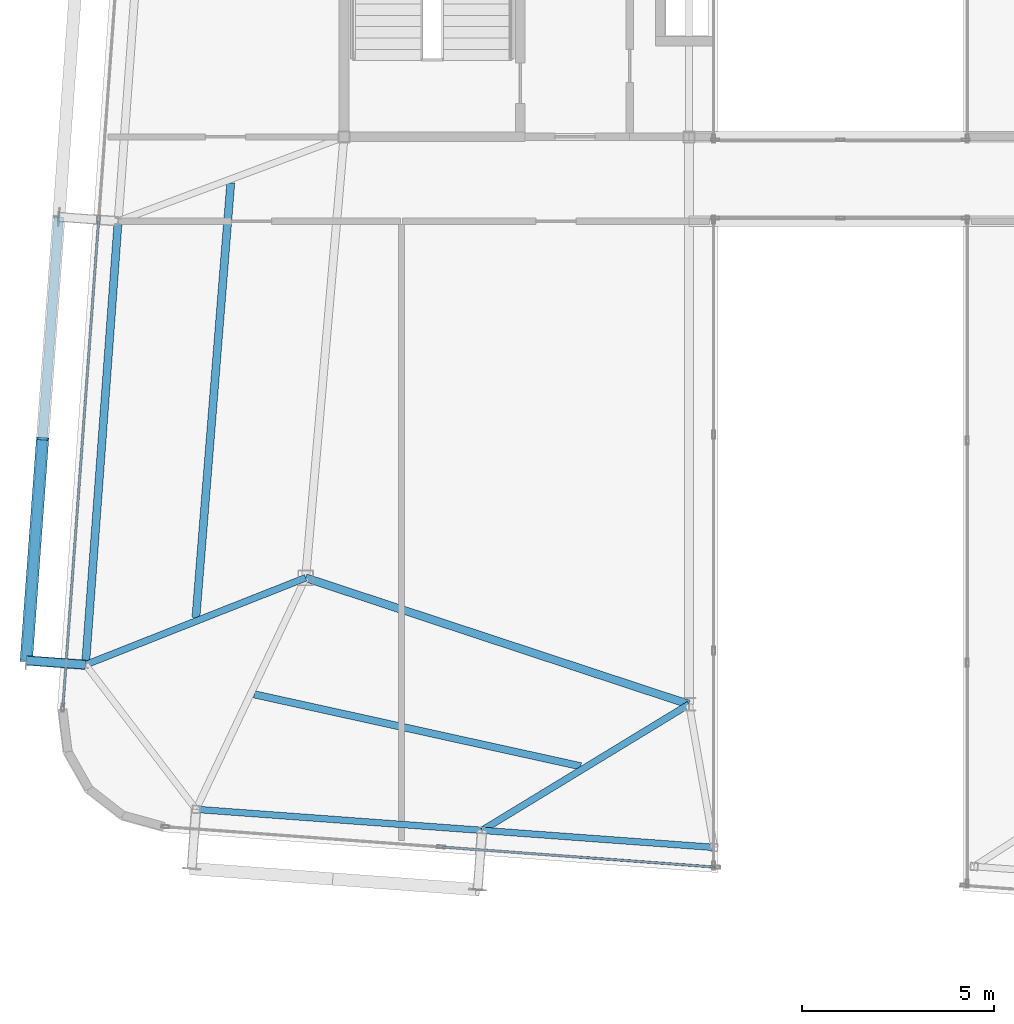
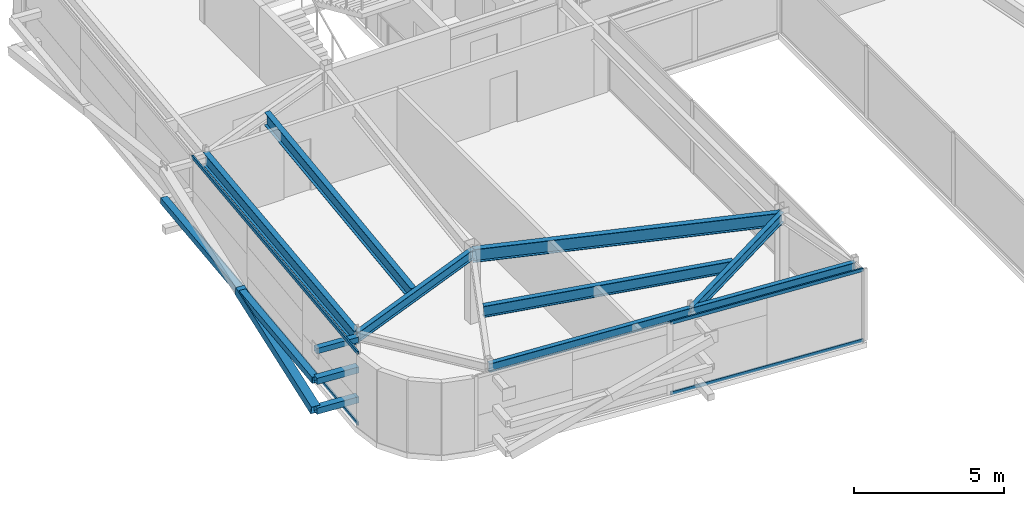
# One storey, part 10 of 39: 9 members, 8 beams, 2 elements without a shape of their own.
"""IFC4 building model written with IfcOpenShell, lengths in metres."""

import ifcopenshell
import ifcopenshell.guid

model = None  # the IFC model being written
_history = None  # IfcOwnerHistory: only IFC2X3 demands one
_inside = {}  # id of a spatial element -> (the spatial element, [elements in it])
_under = {}  # id of a project, library or spatial element -> (it, [spatial elements below it])
_declared = {}  # id of a project -> (the project, [libraries it declares])
_typed = {}  # id of a type object -> (the type object, [elements of that type])
_made_of = {}  # id of a material, layer set ... -> (it, [elements and type objects made of it])


def new_model(schema):
    """Start an empty IFC model of exactly this schema.

    Asked for "IFC4X3", IfcOpenShell would pick the latest addendum, in which some entities
    have other attributes; the version numbers below select the first issue.
    IFC2X3 requires an IfcOwnerHistory on every rooted entity: one is made here for all.
    """
    global model, _history
    if schema == "IFC4X3":
        model = ifcopenshell.file(schema_version=(4, 3, 0, 0))
    else:
        model = ifcopenshell.file(schema=schema)
    _inside.clear()
    _under.clear()
    _declared.clear()
    _typed.clear()
    _made_of.clear()
    _history = None
    if model.schema == "IFC2X3":
        org = make("IfcOrganization", Name="unknown")
        user = make(
            "IfcPersonAndOrganization",
            ThePerson=make("IfcPerson", FamilyName="unknown"),
            TheOrganization=org,
        )
        app = make(
            "IfcApplication",
            ApplicationDeveloper=org,
            Version="unknown",
            ApplicationFullName="unknown",
            ApplicationIdentifier="unknown",
        )
        _history = make(
            "IfcOwnerHistory",
            OwningUser=user,
            OwningApplication=app,
            ChangeAction="ADDED",
            CreationDate=0,
        )
    return model


def make(cls, **values):
    """One entity of the class cls with the attributes given. An attribute that is None is left unset."""
    return model.create_entity(
        cls, **{name: value for name, value in values.items() if value is not None}
    )


def rooted(cls, **values):
    """An entity with a GlobalId (a new one), such as an element, a storey or a relation."""
    return make(cls, GlobalId=ifcopenshell.guid.new(), OwnerHistory=_history, **values)


def si_unit(unit_type, name, prefix=None):
    """IfcSIUnit, for example si_unit("LENGTHUNIT", "METRE", prefix="MILLI")."""
    return make("IfcSIUnit", UnitType=unit_type, Prefix=prefix, Name=name)


def assignment(units):
    """IfcUnitAssignment: the units of a project."""
    return None if units is None else make("IfcUnitAssignment", Units=units)


def point(xyz):
    """IfcCartesianPoint."""
    return None if xyz is None else make("IfcCartesianPoint", Coordinates=xyz)


def direction(xyz):
    """IfcDirection."""
    return None if xyz is None else make("IfcDirection", DirectionRatios=xyz)


def frame(location, z_axis=None, x_axis=None):
    """IfcAxis2Placement3D, a coordinate frame: its origin and axes. An axis left out is left unset."""
    return make(
        "IfcAxis2Placement3D",
        Location=point(location),
        Axis=direction(z_axis),
        RefDirection=direction(x_axis),
    )


def frame_2d(location, x_axis=None):
    """IfcAxis2Placement2D, a coordinate frame in the plane: its origin and x axis."""
    return make(
        "IfcAxis2Placement2D", Location=point(location), RefDirection=direction(x_axis)
    )


def origin():
    """The frame at (0, 0, 0) with its axes left unset."""
    return frame((0.0, 0.0, 0.0))


def origin_2d():
    """The frame at (0, 0) in the plane with its x axis left unset."""
    return frame_2d((0.0, 0.0))


def place(relative_to, where):
    """IfcLocalPlacement: puts the frame where relative to a parent placement (None: the world)."""
    return make(
        "IfcLocalPlacement", PlacementRelTo=relative_to, RelativePlacement=where
    )


def context(
    kind, dimensions, precision=None, world=None, true_north=None, identifier=None
):
    """IfcGeometricRepresentationContext, for example the 3D "Model" context."""
    return make(
        "IfcGeometricRepresentationContext",
        ContextIdentifier=identifier,
        ContextType=kind,
        CoordinateSpaceDimension=dimensions,
        Precision=precision,
        WorldCoordinateSystem=world,
        TrueNorth=true_north,
    )


def subcontext(parent, identifier, kind, view, scale=None):
    """IfcGeometricRepresentationSubContext, for example "Body" below "Model"."""
    return make(
        "IfcGeometricRepresentationSubContext",
        ContextIdentifier=identifier,
        ContextType=kind,
        ParentContext=parent,
        TargetScale=scale,
        TargetView=view,
    )


def project(units=None, contexts=None):
    """IfcProject with its units and contexts."""
    return rooted(
        "IfcProject",
        Name="project",
        RepresentationContexts=contexts,
        UnitsInContext=assignment(units),
    )


def spatial(cls, under=None, at=None, **own):
    """A site, building, storey or space (cls), placed at a placement, below another one or the project."""
    s = rooted(cls, ObjectPlacement=at, **own)
    if under is not None:
        _under.setdefault(under.id(), (under, []))[1].append(s)
    return s


def profile(cls, at=None, kind="AREA", **sizes):
    """A parametric profile (cls). Its sizes go by their IFC names, for example OverallWidth=200.0."""
    return make(cls, ProfileType=kind, Position=at, **sizes)


def hollow_rectangle(**sizes):
    """IfcRectangleHollowProfileDef."""
    return profile("IfcRectangleHollowProfileDef", **sizes)


def i_section(**sizes):
    """IfcIShapeProfileDef."""
    return profile("IfcIShapeProfileDef", **sizes)


def extrude(swept, where, along, depth):
    """IfcExtrudedAreaSolid: the profile swept, set in the frame where, extruded along a direction by depth."""
    return make(
        "IfcExtrudedAreaSolid",
        SweptArea=swept,
        Position=where,
        ExtrudedDirection=direction(along),
        Depth=depth,
    )


def shape(context_of_items, identifier, shape_type, items):
    """IfcShapeRepresentation: the items that make up one representation, for example the "Body"."""
    return make(
        "IfcShapeRepresentation",
        ContextOfItems=context_of_items,
        RepresentationIdentifier=identifier,
        RepresentationType=shape_type,
        Items=items,
    )


def source(mapping_origin, context_of_items, identifier, shape_type, items):
    """IfcRepresentationMap: a shape defined once, which mapped items show again and again."""
    return make(
        "IfcRepresentationMap",
        MappingOrigin=mapping_origin,
        MappedRepresentation=shape(context_of_items, identifier, shape_type, items),
    )


def transform(
    local_origin,
    x_axis=None,
    y_axis=None,
    z_axis=None,
    scale=None,
    scale2=None,
    scale3=None,
    uniform=True,
):
    """IfcCartesianTransformationOperator3D, or its non-uniform kind. x_axis, y_axis, z_axis: its Axis1, 2, 3."""
    if uniform:
        return make(
            "IfcCartesianTransformationOperator3D",
            Axis1=direction(x_axis),
            Axis2=direction(y_axis),
            LocalOrigin=point(local_origin),
            Scale=scale,
            Axis3=direction(z_axis),
        )
    return make(
        "IfcCartesianTransformationOperator3DnonUniform",
        Axis1=direction(x_axis),
        Axis2=direction(y_axis),
        LocalOrigin=point(local_origin),
        Scale=scale,
        Axis3=direction(z_axis),
        Scale2=scale2,
        Scale3=scale3,
    )


def mapped(mapping_source, mapping_target):
    """IfcMappedItem: shows the shape of a source again, moved by a transform."""
    return make(
        "IfcMappedItem", MappingSource=mapping_source, MappingTarget=mapping_target
    )


def material(Name=None, Category=None):
    """IfcMaterial."""
    return make("IfcMaterial", Name=Name, Category=Category)


def layer(
    of_material, thickness, ventilated=None, Name=None, Category=None, Priority=None
):
    """IfcMaterialLayer: one layer of a wall or slab, of a material (None: an air gap)."""
    return make(
        "IfcMaterialLayer",
        Material=of_material,
        LayerThickness=thickness,
        IsVentilated=ventilated,
        Name=Name,
        Category=Category,
        Priority=Priority,
    )


def layer_set(layers, Name=None):
    """IfcMaterialLayerSet."""
    return make("IfcMaterialLayerSet", MaterialLayers=layers, LayerSetName=Name)


def material_profile(
    of_material, cross_section, Name=None, Category=None, Priority=None
):
    """IfcMaterialProfile: a cross section and its material."""
    return make(
        "IfcMaterialProfile",
        Name=Name,
        Material=of_material,
        Profile=cross_section,
        Priority=Priority,
        Category=Category,
    )


def profile_set(profiles, Name=None, composite=None):
    """IfcMaterialProfileSet."""
    return make(
        "IfcMaterialProfileSet",
        Name=Name,
        MaterialProfiles=profiles,
        CompositeProfile=composite,
    )


def made_of(thing, what):
    """Note that an element or type object is made of a material, layer set ...; save() writes the relation."""
    if what is not None:
        _made_of.setdefault(what.id(), (what, []))[1].append(thing)
    return thing


def type_object(cls, material=None, **own):
    """A type object (cls), such as IfcWallType, which elements share."""
    return made_of(rooted(cls, **own), material)


def element(
    cls,
    number,
    at=None,
    inside=None,
    cuts=None,
    type_object=None,
    material=None,
    context=None,
    identifier="Body",
    shape_type=None,
    held_by="IfcProductDefinitionShape",
    body=None,
    shapes=None,
    **own,
):
    """One element of the class cls, such as IfcWall. Its Tag is "e" and its number.

    at: its placement. inside: the storey or other place that contains it. cuts: it is an
    opening in that element (IfcRelVoidsElement). A single representation is given by context,
    identifier, shape_type and body (its items); several are given by shapes. held_by: the class
    of the entity that holds the representations. save() writes the other relations.
    """
    e = rooted(cls, Tag="e%d" % number, ObjectPlacement=at, **own)
    if body is not None:
        shapes = [shape(context, identifier, shape_type, body)]
    if shapes is not None:
        e.Representation = make(held_by, Representations=shapes)
    if inside is not None:
        _inside.setdefault(inside.id(), (inside, []))[1].append(e)
    if cuts is not None:
        rooted(
            "IfcRelVoidsElement", RelatingBuildingElement=cuts, RelatedOpeningElement=e
        )
    if type_object is not None:
        _typed.setdefault(type_object.id(), (type_object, []))[1].append(e)
    return made_of(e, material)


def aggregate(whole, parts):
    """IfcRelAggregates: a whole, such as a stair, and the parts it consists of."""
    return rooted("IfcRelAggregates", RelatingObject=whole, RelatedObjects=parts)


def save(model, path):
    """Write the relations noted so far, then the file.

    IfcRelAggregates (storeys below a building ...), IfcRelContainedInSpatialStructure (elements
    in a storey), IfcRelDefinesByType, IfcRelAssociatesMaterial and IfcRelDeclares: one each for
    every whole, place, type object, material and project.
    """
    for whole, parts in _under.values():
        aggregate(whole, parts)
    for where, things in _inside.values():
        rooted(
            "IfcRelContainedInSpatialStructure",
            RelatedElements=things,
            RelatingStructure=where,
        )
    for kind, things in _typed.values():
        rooted("IfcRelDefinesByType", RelatedObjects=things, RelatingType=kind)
    for what, things in _made_of.values():
        rooted("IfcRelAssociatesMaterial", RelatedObjects=things, RelatingMaterial=what)
    for by, libraries in _declared.values():
        rooted("IfcRelDeclares", RelatingContext=by, RelatedDefinitions=libraries)
    model.write(path)


model = new_model("IFC4")

# Units and contexts
model_context = context("Model", 3, precision=1e-05, world=origin(), true_north=direction((0.0, 1.0)))
body_context = subcontext(model_context, "Body", "Model", "MODEL_VIEW")
ifc_project = project(units=[si_unit("LENGTHUNIT", "METRE"), si_unit("AREAUNIT", "SQUARE_METRE"), si_unit("VOLUMEUNIT", "CUBIC_METRE"), si_unit("PLANEANGLEUNIT", "RADIAN"), si_unit("MASSUNIT", "GRAM", prefix="KILO")], contexts=[model_context])

# Site, building, storey
site_placement = place(None, origin())
site = spatial("IfcSite", under=ifc_project, at=site_placement, CompositionType="ELEMENT")
building_placement = place(site_placement, origin())
building = spatial("IfcBuilding", under=site, at=building_placement, Name="Taldren Reach Tower", CompositionType="ELEMENT")
storey_placement = place(building_placement, frame((0.0, 0.0, 230.300048828125)))
storey = spatial("IfcBuildingStorey", under=building, at=storey_placement, Name="L70", CompositionType="ELEMENT", Elevation=230.300048828125)

# Beams
ifc_material_1 = material(Name="Steel Gr 350 (350PLUS)", Category="steel")
ifc_material_profile_1 = material_profile(ifc_material_1, i_section(OverallWidth=0.208984375, OverallDepth=0.532958984375, WebThickness=0.01025390625, FlangeThickness=0.015625, at=origin_2d()), Name="530UB92.4")
ifc_profile_set_1 = profile_set([ifc_material_profile_1], Name="Steel Gr 350 (350PLUS)")
beam_type_1 = type_object("IfcBeamType", Name="BM-UB530A", PredefinedType="BEAM", material=ifc_profile_set_1)
shared_shape_1 = source(origin(), body_context, "Body", "SweptSolid", [
    extrude(i_section(OverallWidth=0.208984375, OverallDepth=0.532958984375, WebThickness=0.01025390625, FlangeThickness=0.015625, at=origin_2d()), origin(), (0.0, 0.0, 1.0), 10.530517578125),
])
beam_1_placement = place(storey_placement, frame((18.0, 12.5, 2.663330078125), z_axis=(0.949627269203, -0.313381635689, 0.0), x_axis=(0.313381635689, 0.949627269203, 0.0)))
element("IfcBeam", 1, at=beam_1_placement, inside=storey, type_object=beam_type_1, Name="Core-spine girder L70-SP10", PredefinedType="BEAM", context=body_context, shape_type="MappedRepresentation", body=[
    mapped(shared_shape_1, transform((0.0, 0.0, 0.0), scale=1.0)),
])
ifc_material_profile_2 = material_profile(ifc_material_1, i_section(OverallWidth=0.172119140625, OverallDepth=0.35888671875, WebThickness=0.008056640625, FlangeThickness=0.012939453125, at=origin_2d()), Name="360UB56.7")
ifc_profile_set_2 = profile_set([ifc_material_profile_2], Name="Steel Gr 350 (350PLUS)")
beam_type_2 = type_object("IfcBeamType", Name="SP-UB360", PredefinedType="SPANDREL", material=ifc_profile_set_2)
shared_shape_2 = source(origin(), body_context, "Body", "SweptSolid", [
    extrude(i_section(OverallWidth=0.172119140625, OverallDepth=0.35888671875, WebThickness=0.008056640625, FlangeThickness=0.012939453125, at=origin_2d()), origin(), (0.0, 0.0, 1.0), 7.47998046875),
])
beam_2_placement = place(storey_placement, frame((15.140625, 6.460205078125, 2.75048828125), z_axis=(0.997314220642, -0.07324169103, 0.0), x_axis=(0.07324169103, 0.997314220642, 0.0)))
element("IfcBeam", 2, at=beam_2_placement, inside=storey, type_object=beam_type_2, Name="Perimeter spandrel B5 S1-S2 L70", PredefinedType="SPANDREL", context=body_context, shape_type="MappedRepresentation", body=[
    mapped(shared_shape_2, transform((0.0, 0.0, 0.0), scale=1.0)),
])
shared_shape_3 = source(origin(), body_context, "Body", "SweptSolid", [
    extrude(i_section(OverallWidth=0.172119140625, OverallDepth=0.35888671875, WebThickness=0.008056640625, FlangeThickness=0.012939453125, at=origin_2d()), origin(), (0.0, 0.0, 1.0), 6.070068359375),
])
beam_3_placement = place(storey_placement, frame((22.6005859375, 5.912353515625, 2.75048828125), z_axis=(0.997314196413, -0.073242020958, 0.0), x_axis=(0.073242020958, 0.997314196413, 0.0)))
element("IfcBeam", 3, at=beam_3_placement, inside=storey, type_object=beam_type_2, Name="Perimeter spandrel B5 S2-PJ1 L70", PredefinedType="SPANDREL", context=body_context, shape_type="MappedRepresentation", body=[
    mapped(shared_shape_3, transform((0.0, 0.0, 0.0), scale=1.0)),
])
ifc_material_profile_3 = material_profile(ifc_material_1, i_section(OverallWidth=0.208984375, OverallDepth=0.528076171875, WebThickness=0.009521484375, FlangeThickness=0.01318359375, at=origin_2d()), Name="530UB82.0")
ifc_profile_set_3 = profile_set([ifc_material_profile_3], Name="Steel Gr 350 (350PLUS)")
beam_type_3 = type_object("IfcBeamType", Name="SP-UB530B", PredefinedType="SPANDREL", material=ifc_profile_set_3)
shared_shape_4 = source(origin(), body_context, "Body", "SweptSolid", [
    extrude(i_section(OverallWidth=0.208984375, OverallDepth=0.528076171875, WebThickness=0.009521484375, FlangeThickness=0.01318359375, at=origin_2d()), origin(), (0.0, 0.0, 1.0), 11.60009765625),
])
beam_4_placement = place(storey_placement, frame((13.108642578125, 21.80029296875, 2.666015625), z_axis=(-0.073242167855, -0.997314185625, 0.0), x_axis=(0.997314185625, -0.073242167855, 0.0)))
element("IfcBeam", 4, at=beam_4_placement, inside=storey, type_object=beam_type_3, Name="Perimeter spandrel B5 W2-W1 L70", PredefinedType="SPANDREL", context=body_context, shape_type="MappedRepresentation", body=[
    mapped(shared_shape_4, transform((0.0, 0.0, 0.0), scale=1.0)),
])
ifc_material_profile_4 = material_profile(ifc_material_1, i_section(OverallWidth=0.177978515625, OverallDepth=0.406005859375, WebThickness=0.0078125, FlangeThickness=0.0126953125, at=origin_2d()), Name="410UB59.7")
ifc_profile_set_4 = profile_set([ifc_material_profile_4], Name="Steel Gr 350 (350PLUS)")
beam_type_4 = type_object("IfcBeamType", Name="BM-UB410", PredefinedType="BEAM", material=ifc_profile_set_4)
shared_shape_5 = source(origin(), body_context, "Body", "SweptSolid", [
    extrude(i_section(OverallWidth=0.177978515625, OverallDepth=0.406005859375, WebThickness=0.0078125, FlangeThickness=0.0126953125, at=origin_2d()), origin(), (0.0, 0.0, 1.0), 6.321533203125),
])
beam_5_placement = place(storey_placement, frame((28.0, 9.199951171875, 2.72705078125), z_axis=(-0.854128445192, -0.520062110823, 0.0), x_axis=(0.520062110823, -0.854128445192, 0.0)))
element("IfcBeam", 5, at=beam_5_placement, inside=storey, type_object=beam_type_4, Name="Primary floor girder B5-S2 L70", PredefinedType="BEAM", context=body_context, shape_type="MappedRepresentation", body=[
    mapped(shared_shape_5, transform((0.0, 0.0, 0.0), scale=1.0)),
])
shared_shape_6 = source(origin(), body_context, "Body", "SweptSolid", [
    extrude(i_section(OverallWidth=0.177978515625, OverallDepth=0.406005859375, WebThickness=0.0078125, FlangeThickness=0.0126953125, at=origin_2d()), origin(), (0.0, 0.0, 1.0), 6.1728515625),
])
beam_6_placement = place(storey_placement, frame((18.0, 12.5, 2.72705078125), z_axis=(-0.930023287794, -0.367500590695, 0.0), x_axis=(0.367500590695, -0.930023287794, 0.0)))
element("IfcBeam", 6, at=beam_6_placement, inside=storey, type_object=beam_type_4, Name="Primary floor girder B5-W1 L70", PredefinedType="BEAM", context=body_context, shape_type="MappedRepresentation", body=[
    mapped(shared_shape_6, transform((0.0, 0.0, 0.0), scale=1.0)),
])
ifc_material_profile_5 = material_profile(ifc_material_1, i_section(OverallWidth=0.19091796875, OverallDepth=0.4599609375, WebThickness=0.010009765625, FlangeThickness=0.01611328125, at=origin_2d()), Name="460UB82.1")
ifc_profile_set_5 = profile_set([ifc_material_profile_5], Name="Steel Gr 350 (350PLUS)")
beam_type_5 = type_object("IfcBeamType", Name="BM-UB460A", PredefinedType="BEAM", material=ifc_profile_set_5)
shared_shape_7 = source(origin(), body_context, "Body", "SweptSolid", [
    extrude(i_section(OverallWidth=0.19091796875, OverallDepth=0.4599609375, WebThickness=0.010009765625, FlangeThickness=0.01611328125, at=origin_2d()), origin(), (0.0, 0.0, 1.0), 8.719482421875),
])
beam_7_placement = place(storey_placement, frame((16.659423828125, 9.46044921875, 2.699951171875), z_axis=(0.976568964704, -0.2152046867, 0.0), x_axis=(0.2152046867, 0.976568964704, 0.0)))
element("IfcBeam", 7, at=beam_7_placement, inside=storey, type_object=beam_type_5, Name="Secondary floor beam B5 J1 L70", PredefinedType="BEAM", context=body_context, shape_type="MappedRepresentation", body=[
    mapped(shared_shape_7, transform((0.0, 0.0, 0.0), scale=1.0)),
])
shared_shape_8 = source(origin(), body_context, "Body", "SweptSolid", [
    extrude(i_section(OverallWidth=0.208984375, OverallDepth=0.532958984375, WebThickness=0.01025390625, FlangeThickness=0.015625, at=origin_2d()), origin(), (0.0, 0.0, 1.0), 11.3740234375),
])
beam_8_placement = place(storey_placement, frame((15.137451171875, 11.464599609375, 2.663330078125), z_axis=(0.079913287803, 0.996801819036, 0.0), x_axis=(-0.996801819036, 0.079913287803, 0.0)))
element("IfcBeam", 8, at=beam_8_placement, inside=storey, type_object=beam_type_1, Name="Secondary floor beam B5 J6 L70", PredefinedType="BEAM", context=body_context, shape_type="MappedRepresentation", body=[
    mapped(shared_shape_8, transform((0.0, 0.0, 0.0), scale=1.0)),
])

# Members
ifc_material_2 = material(Name="Steel Gr 450 (C450L0)", Category="steel")
ifc_material_profile_6 = material_profile(ifc_material_2, hollow_rectangle(XDim=0.219970703125, YDim=0.219970703125, WallThickness=0.00830078125, at=origin_2d()), Name="220x220x8.2SHS")
ifc_profile_set_6 = profile_set([ifc_material_profile_6], Name="Steel Gr 450 (C450L0)")
member_type_1 = type_object("IfcMemberType", Name="MB-TIE219", PredefinedType="STRUT", material=ifc_profile_set_6)
shared_shape_9 = source(origin(), body_context, "Body", "SweptSolid", [
    extrude(hollow_rectangle(XDim=0.219970703125, YDim=0.219970703125, WallThickness=0.00830078125, at=origin_2d()), origin(), (0.0, 0.0, 1.0), 1.5458984375),
])
member_1_placement = place(storey_placement, frame((12.255126953125, 10.231689453125, 2.64990234375), z_axis=(-0.997311530447, 0.073278313559, 0.0), x_axis=(-0.073278313559, -0.997311530447, 0.0)))
element("IfcMember", 9, at=member_1_placement, inside=storey, type_object=member_type_1, Name="Exoskeleton diaphragm tie strut B5-W1 L70", PredefinedType="STRUT", context=body_context, shape_type="MappedRepresentation", body=[
    mapped(shared_shape_9, transform((0.0, 0.0, 0.0), scale=1.0)),
])
ifc_material_profile_7 = material_profile(ifc_material_2, hollow_rectangle(XDim=0.324951171875, YDim=0.324951171875, WallThickness=0.0126953125, at=origin_2d()), Name="325x325x12.7SHS")
ifc_profile_set_7 = profile_set([ifc_material_profile_7], Name="Steel Gr 450 (C450L0)")
member_type_2 = type_object("IfcMemberType", Name="MB-BR324", PredefinedType="BRACE", material=ifc_profile_set_7)
shared_shape_10 = source(origin(), body_context, "Body", "SweptSolid", [
    extrude(hollow_rectangle(XDim=0.324951171875, YDim=0.324951171875, WallThickness=0.0126953125, at=origin_2d()), origin(), (0.0, 0.0, 1.0), 5.92578125),
])
member_2_placement = place(storey_placement, frame((10.71337890625, 10.344970703125, 0.219970703125), z_axis=(0.071644948114, 0.976126368983, 0.205047099921), x_axis=(-0.997317259472, 0.073200300267, 0.0)))
element("IfcMember", 10, at=member_2_placement, inside=storey, type_object=member_type_2, Name="Exoskeleton Diagrid Brace B5-W1 L70", PredefinedType="BRACE", context=body_context, shape_type="MappedRepresentation", body=[
    mapped(shared_shape_10, transform((0.0, 0.0, 0.0), scale=1.0)),
])
ifc_material_3 = material(Name="Steel Gr 350 (C350L0)", Category="steel")
ifc_material_profile_8 = material_profile(ifc_material_3, hollow_rectangle(XDim=0.25, YDim=0.25, WallThickness=0.010009765625, at=origin_2d()), Name="250x250x10.0SHS")
ifc_profile_set_8 = profile_set([ifc_material_profile_8], Name="Steel Gr 350 (C350L0)")
member_type_3 = type_object("IfcMemberType", Name="MB-POST250", PredefinedType="POST", material=ifc_profile_set_8)
shared_shape_11 = source(origin(), body_context, "Body", "SweptSolid", [
    extrude(hollow_rectangle(XDim=0.25, YDim=0.25, WallThickness=0.010009765625, at=origin_2d()), origin(), (0.0, 0.0, 1.0), 11.60009765625),
])
member_3_placement = place(storey_placement, frame((10.71337890625, 10.344970703125, 1.43505859375), z_axis=(0.073221234109, 0.997315722766, 0.0), x_axis=(-0.997315722766, 0.073221234109, 0.0)))
element("IfcMember", 11, at=member_3_placement, inside=storey, type_object=member_type_3, Name="Exoskeleton mid-height ring chord B5-W1 L70", PredefinedType="POST", context=body_context, shape_type="MappedRepresentation", body=[
    mapped(shared_shape_11, transform((0.0, 0.0, 0.0), scale=1.0)),
])
shared_shape_12 = source(origin(), body_context, "Body", "SweptSolid", [
    extrude(hollow_rectangle(XDim=0.25, YDim=0.25, WallThickness=0.010009765625, at=origin_2d()), origin(), (0.0, 0.0, 1.0), 1.5458984375),
])
for number, where, z_axis, x_axis, name in (
    (12, (12.255126953125, 10.231689453125, 0.219970703125), (-0.997311530447, 0.073278313559, 0.0), (-0.073278313559, -0.997311530447, 0.0), "Exoskeleton base diaphragm tie strut B5-W1 L70"),
    (13, (12.255126953125, 10.231689453125, 1.43505859375), (-0.997311530447, 0.073278313559, 0.0), (-0.073278313559, -0.997311530447, 0.0), "Exoskeleton mid-tier diaphragm tie B5-W1 L70"),
):
    element("IfcMember", number, at=place(storey_placement, frame(where, z_axis=z_axis, x_axis=x_axis)), inside=storey, type_object=member_type_3, Name=name, PredefinedType="POST", context=body_context, shape_type="MappedRepresentation", body=[
        mapped(shared_shape_12, transform((0.0, 0.0, 0.0), scale=1.0)),
    ])

# Curtain wall, members
ifc_material_4 = material(Name="Aluminium and Low-E Glass Unitised System", Category="aluminium")
ifc_layer = layer(ifc_material_4, 0.159912109375)
ifc_layer_set = layer_set([ifc_layer], Name="Aluminium and Low-E Glass Unitised System")
curtain_wall_type = type_object("IfcCurtainWallType", Name="CW-SYS-7", PredefinedType="NOTDEFINED", material=ifc_layer_set)
curtain_wall_1_placement = place(storey_placement, origin())
curtain_wall_1 = element("IfcCurtainWall", 14, at=curtain_wall_1_placement, inside=storey, type_object=curtain_wall_type, Name="Unitised curtain wall CW-L70-W", PredefinedType="NOTDEFINED")
ifc_material_5 = material(Name="Anodised Aluminium 6063-T6", Category="aluminium")
ifc_material_profile_9 = material_profile(ifc_material_5, hollow_rectangle(XDim=0.06005859375, YDim=0.135009765625, WallThickness=0.00341796875, at=origin_2d()), Name="ALU-135x60x3.5RHS")
ifc_profile_set_9 = profile_set([ifc_material_profile_9], Name="Anodised Aluminium 6063-T6")
member_type_4 = type_object("IfcMemberType", Name="CW-TRN-150", PredefinedType="USERDEFINED", material=ifc_profile_set_9)
shared_shape_13 = source(origin(), body_context, "Body", "SweptSolid", [
    extrude(hollow_rectangle(XDim=0.06005859375, YDim=0.135009765625, WallThickness=0.00341796875, at=origin_2d()), origin(), (0.0, 0.0, 1.0), 12.687744140625),
])
member_4_placement = place(storey_placement, frame((12.597412109375, 21.80029296875, 0.030029296875), z_axis=(-0.073236592425, -0.997314595065, 0.0), x_axis=(0.997314595065, -0.073236592425, 0.0)))
member_4 = element("IfcMember", 15, at=member_4_placement, type_object=member_type_4, Name="CW-7 transom 2.1", ObjectType="TRANSOM", PredefinedType="USERDEFINED", context=body_context, shape_type="MappedRepresentation", body=[
    mapped(shared_shape_13, transform((0.0, 0.0, 0.0), scale=1.0)),
])
member_5_placement = place(storey_placement, frame((12.597412109375, 21.80029296875, 2.89990234375), z_axis=(-0.073236592425, -0.997314595065, 0.0), x_axis=(0.997314595065, -0.073236592425, 0.0)))
member_5 = element("IfcMember", 16, at=member_5_placement, type_object=member_type_4, Name="CW-7 transom 2.2", ObjectType="TRANSOM", PredefinedType="USERDEFINED", context=body_context, shape_type="MappedRepresentation", body=[
    mapped(shared_shape_13, transform((0.0, 0.0, 0.0), scale=1.0)),
])
aggregate(curtain_wall_1, [member_4, member_5])

curtain_wall_2_placement = place(storey_placement, origin())
curtain_wall_2 = element("IfcCurtainWall", 17, at=curtain_wall_2_placement, inside=storey, type_object=curtain_wall_type, Name="Unitised curtain wall CW-L70-SWING", PredefinedType="NOTDEFINED")
shared_shape_14 = source(origin(), body_context, "Body", "SweptSolid", [
    extrude(hollow_rectangle(XDim=0.06005859375, YDim=0.135009765625, WallThickness=0.00341796875, at=origin_2d()), origin(), (0.0, 0.0, 1.0), 7.129150390625),
])
member_6_placement = place(storey_placement, frame((21.565185546875, 5.47705078125, 0.030029296875), z_axis=(0.997313625299, -0.073249797223, 0.0), x_axis=(0.073249797223, 0.997313625299, 0.0)))
member_6 = element("IfcMember", 18, at=member_6_placement, type_object=member_type_4, Name="CW-7 transom 2.1", ObjectType="TRANSOM", PredefinedType="USERDEFINED", context=body_context, shape_type="MappedRepresentation", body=[
    mapped(shared_shape_14, transform((0.0, 0.0, 0.0), scale=1.0)),
])
member_7_placement = place(storey_placement, frame((21.565185546875, 5.47705078125, 2.89990234375), z_axis=(0.997313625299, -0.073249797223, 0.0), x_axis=(0.073249797223, 0.997313625299, 0.0)))
member_7 = element("IfcMember", 19, at=member_7_placement, type_object=member_type_4, Name="CW-7 transom 2.2", ObjectType="TRANSOM", PredefinedType="USERDEFINED", context=body_context, shape_type="MappedRepresentation", body=[
    mapped(shared_shape_14, transform((0.0, 0.0, 0.0), scale=1.0)),
])
aggregate(curtain_wall_2, [member_6, member_7])

save(model, "model.ifc")
